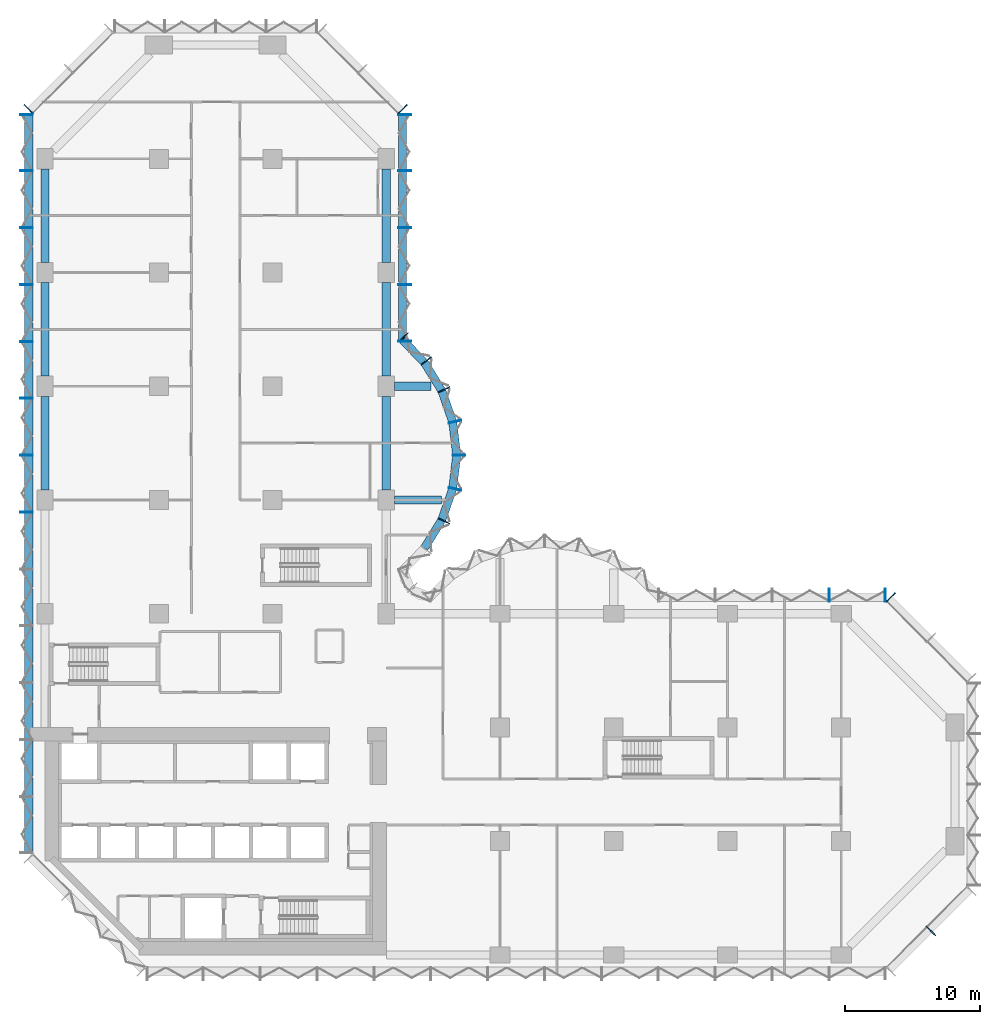
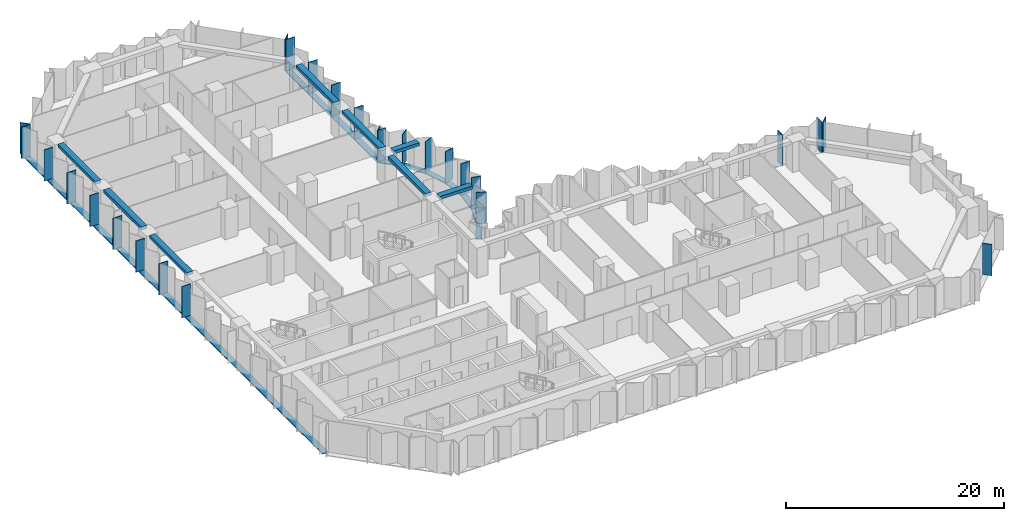
# One storey, part 3 of 15: 35 members, 8 beams, 8 elements without a shape of their own.
"""IFC4 building model written with IfcOpenShell, lengths in metres."""

from ifc_helpers import new_model, si_unit, direction, frame, origin, origin_2d, place, context, subcontext, project, spatial, rectangle, extrude, material, material_profile, profile_set, type_object, element, aggregate, save


model = new_model("IFC4")

# Units and contexts
model_context = context("Model", 3, precision=1e-05, world=origin(), true_north=direction((0.0, 1.0)))
body_context = subcontext(model_context, "Body", "Model", "MODEL_VIEW")
ifc_project = project(units=[si_unit("LENGTHUNIT", "METRE"), si_unit("AREAUNIT", "SQUARE_METRE"), si_unit("VOLUMEUNIT", "CUBIC_METRE"), si_unit("PLANEANGLEUNIT", "RADIAN"), si_unit("MASSUNIT", "GRAM", prefix="KILO")], contexts=[model_context])

# Site, building, storey
site_placement = place(None, origin())
site = spatial("IfcSite", under=ifc_project, at=site_placement, CompositionType="ELEMENT")
building_placement = place(site_placement, origin())
building = spatial("IfcBuilding", under=site, at=building_placement, Name="Brevane Broadcast Tower", CompositionType="ELEMENT")
storey_placement = place(building_placement, frame((0.0, 0.0, 72.5)))
storey = spatial("IfcBuildingStorey", under=building, at=storey_placement, Name="L16", CompositionType="ELEMENT", Elevation=72.5)

# Curtain wall, member
ifc_material_1 = material(Name="Aluminium 6063-T6 bronze anodised", Category="aluminium")
curtain_wall_type = type_object("IfcCurtainWallType", Name="CW-1 curtain wall", PredefinedType="NOTDEFINED", material=ifc_material_1)
curtain_wall_1_placement = place(storey_placement, origin())
curtain_wall_1 = element("IfcCurtainWall", 1, at=curtain_wall_1_placement, inside=storey, type_object=curtain_wall_type, Name="CW-1 typical tilted unit L16 south-east chamfer", PredefinedType="NOTDEFINED")
ifc_material_profile_1 = material_profile(ifc_material_1, rectangle(XDim=0.949951171875, YDim=0.070068359375, at=origin_2d()), Name="RECT 70x950")
ifc_profile_set_1 = profile_set([ifc_material_profile_1], Name="Aluminium 6063-T6 bronze anodised")
member_type_1 = type_object("IfcMemberType", Name="CW-1 mullion 70x950", PredefinedType="MULLION", material=ifc_profile_set_1)
member_1_placement = place(storey_placement, frame((65.435791015625, 1.76416015625, -0.14990234375), z_axis=(0.0, 0.0, 1.0), x_axis=(-0.707106781187, 0.707106781187, 0.0)))
member_1 = element("IfcMember", 2, at=member_1_placement, type_object=member_type_1, Name="CW-1 mullion", PredefinedType="MULLION", context=body_context, shape_type="SweptSolid", body=[
    extrude(rectangle(XDim=0.949951171875, YDim=0.070068359375, at=origin_2d()), origin(), (0.0, 0.0, 1.0), 3.5),
])
aggregate(curtain_wall_1, [member_1])

curtain_wall_2_placement = place(storey_placement, origin())
curtain_wall_2 = element("IfcCurtainWall", 3, at=curtain_wall_2_placement, inside=storey, type_object=curtain_wall_type, Name="CW-1 typical tilted unit L16 north-east chamfer", PredefinedType="NOTDEFINED")
member_2_placement = place(storey_placement, frame((62.460693359375, 26.4111328125, -0.14990234375), z_axis=(0.0, 0.0, 1.0), x_axis=(-0.707106781187, -0.707106781187, 0.0)))
member_2 = element("IfcMember", 4, at=member_2_placement, type_object=member_type_1, Name="CW-1 mullion", PredefinedType="MULLION", context=body_context, shape_type="SweptSolid", body=[
    extrude(rectangle(XDim=0.949951171875, YDim=0.070068359375, at=origin_2d()), origin(), (0.0, 0.0, 1.0), 3.5),
])
aggregate(curtain_wall_2, [member_2])

# Curtain wall, members
curtain_wall_3_placement = place(storey_placement, origin())
curtain_wall_3 = element("IfcCurtainWall", 5, at=curtain_wall_3_placement, inside=storey, type_object=curtain_wall_type, Name="CW-1 typical tilted unit L16 east arm north face", PredefinedType="NOTDEFINED")
member_3_placement = place(storey_placement, frame((62.06494140625, 26.574951171875, -0.14990234375), z_axis=(0.0, 0.0, 1.0), x_axis=(0.0, -1.0, 0.0)))
member_3 = element("IfcMember", 6, at=member_3_placement, type_object=member_type_1, Name="CW-1 mullion", PredefinedType="MULLION", context=body_context, shape_type="SweptSolid", body=[
    extrude(rectangle(XDim=0.949951171875, YDim=0.070068359375, at=origin_2d()), origin(), (0.0, 0.0, 1.0), 3.5),
])
member_4_placement = place(storey_placement, frame((57.89990234375, 26.574951171875, -0.14990234375), z_axis=(0.0, 0.0, 1.0), x_axis=(0.0, -1.0, 0.0)))
member_4 = element("IfcMember", 7, at=member_4_placement, type_object=member_type_1, Name="CW-1 mullion", PredefinedType="MULLION", context=body_context, shape_type="SweptSolid", body=[
    extrude(rectangle(XDim=0.949951171875, YDim=0.070068359375, at=origin_2d()), origin(), (0.0, 0.0, 1.0), 3.5),
])
aggregate(curtain_wall_3, [member_3, member_4])

curtain_wall_4_placement = place(storey_placement, origin())
curtain_wall_4 = element("IfcCurtainWall", 8, at=curtain_wall_4_placement, inside=storey, type_object=curtain_wall_type, Name="CW-1 typical tilted unit L16 north bow", PredefinedType="NOTDEFINED")
member_5_placement = place(storey_placement, frame((29.4580078125, 32.05322265625, -0.14990234375), z_axis=(0.0, 0.0, 1.0), x_axis=(-0.902860508933, 0.429933601163, 0.0)))
member_5 = element("IfcMember", 9, at=member_5_placement, type_object=member_type_1, Name="CW-1 mullion", PredefinedType="MULLION", context=body_context, shape_type="SweptSolid", body=[
    extrude(rectangle(XDim=0.949951171875, YDim=0.070068359375, at=origin_2d()), origin(), (0.0, 0.0, 1.0), 3.5),
])
member_6_placement = place(storey_placement, frame((30.28076171875, 34.411865234375, -0.14990234375), z_axis=(0.0, 0.0, 1.0), x_axis=(-0.974403430594, 0.224806482215, 0.0)))
member_6 = element("IfcMember", 10, at=member_6_placement, type_object=member_type_1, Name="CW-1 mullion", PredefinedType="MULLION", context=body_context, shape_type="SweptSolid", body=[
    extrude(rectangle(XDim=0.949951171875, YDim=0.070068359375, at=origin_2d()), origin(), (0.0, 0.0, 1.0), 3.5),
])
member_7_placement = place(storey_placement, frame((30.574951171875, 36.89990234375, -0.14990234375), z_axis=(0.0, 0.0, 1.0), x_axis=(-1.0, 0.0, 0.0)))
member_7 = element("IfcMember", 11, at=member_7_placement, type_object=member_type_1, Name="CW-1 mullion", PredefinedType="MULLION", context=body_context, shape_type="SweptSolid", body=[
    extrude(rectangle(XDim=0.949951171875, YDim=0.070068359375, at=origin_2d()), origin(), (0.0, 0.0, 1.0), 3.5),
])
member_8_placement = place(storey_placement, frame((30.28076171875, 39.38818359375, -0.14990234375), z_axis=(0.0, 0.0, 1.0), x_axis=(-0.974403430594, -0.224806482215, 0.0)))
member_8 = element("IfcMember", 12, at=member_8_placement, type_object=member_type_1, Name="CW-1 mullion", PredefinedType="MULLION", context=body_context, shape_type="SweptSolid", body=[
    extrude(rectangle(XDim=0.949951171875, YDim=0.070068359375, at=origin_2d()), origin(), (0.0, 0.0, 1.0), 3.5),
])
member_9_placement = place(storey_placement, frame((29.4580078125, 41.746826171875, -0.14990234375), z_axis=(0.0, 0.0, 1.0), x_axis=(-0.902860508933, -0.429933601163, 0.0)))
member_9 = element("IfcMember", 13, at=member_9_placement, type_object=member_type_1, Name="CW-1 mullion", PredefinedType="MULLION", context=body_context, shape_type="SweptSolid", body=[
    extrude(rectangle(XDim=0.949951171875, YDim=0.070068359375, at=origin_2d()), origin(), (0.0, 0.0, 1.0), 3.5),
])
member_10_placement = place(storey_placement, frame((28.1455078125, 43.8720703125, -0.14990234375), z_axis=(0.0, 0.0, 1.0), x_axis=(-0.788706642853, -0.614769738617, 0.0)))
member_10 = element("IfcMember", 14, at=member_10_placement, type_object=member_type_1, Name="CW-1 mullion", PredefinedType="MULLION", context=body_context, shape_type="SweptSolid", body=[
    extrude(rectangle(XDim=0.949951171875, YDim=0.070068359375, at=origin_2d()), origin(), (0.0, 0.0, 1.0), 3.5),
])
member_11_placement = place(storey_placement, frame((26.465087890625, 45.60595703125, -0.14990234375), z_axis=(0.0, 0.0, 1.0), x_axis=(-0.717253872699, -0.696811941702, 0.0)))
member_11 = element("IfcMember", 15, at=member_11_placement, type_object=member_type_1, Name="CW-1 mullion", PredefinedType="MULLION", context=body_context, shape_type="SweptSolid", body=[
    extrude(rectangle(XDim=0.949951171875, YDim=0.070068359375, at=origin_2d()), origin(), (0.0, 0.0, 1.0), 3.5),
])

curtain_wall_5_placement = place(storey_placement, origin())
curtain_wall_5 = element("IfcCurtainWall", 16, at=curtain_wall_5_placement, inside=storey, type_object=curtain_wall_type, Name="CW-1 typical tilted unit L16 north arm east face", PredefinedType="NOTDEFINED")
member_12_placement = place(storey_placement, frame((26.574951171875, 45.3349609375, -0.14990234375), z_axis=(0.0, 0.0, 1.0), x_axis=(-1.0, 0.0, 0.0)))
member_12 = element("IfcMember", 17, at=member_12_placement, type_object=member_type_1, Name="CW-1 mullion", PredefinedType="MULLION", context=body_context, shape_type="SweptSolid", body=[
    extrude(rectangle(XDim=0.949951171875, YDim=0.070068359375, at=origin_2d()), origin(), (0.0, 0.0, 1.0), 3.5),
])
member_13_placement = place(storey_placement, frame((26.574951171875, 49.5, -0.14990234375), z_axis=(0.0, 0.0, 1.0), x_axis=(-1.0, 0.0, 0.0)))
member_13 = element("IfcMember", 18, at=member_13_placement, type_object=member_type_1, Name="CW-1 mullion", PredefinedType="MULLION", context=body_context, shape_type="SweptSolid", body=[
    extrude(rectangle(XDim=0.949951171875, YDim=0.070068359375, at=origin_2d()), origin(), (0.0, 0.0, 1.0), 3.5),
])
member_14_placement = place(storey_placement, frame((26.574951171875, 53.699951171875, -0.14990234375), z_axis=(0.0, 0.0, 1.0), x_axis=(-1.0, 0.0, 0.0)))
member_14 = element("IfcMember", 19, at=member_14_placement, type_object=member_type_1, Name="CW-1 mullion", PredefinedType="MULLION", context=body_context, shape_type="SweptSolid", body=[
    extrude(rectangle(XDim=0.949951171875, YDim=0.070068359375, at=origin_2d()), origin(), (0.0, 0.0, 1.0), 3.5),
])
member_15_placement = place(storey_placement, frame((26.574951171875, 57.89990234375, -0.14990234375), z_axis=(0.0, 0.0, 1.0), x_axis=(-1.0, 0.0, 0.0)))
member_15 = element("IfcMember", 20, at=member_15_placement, type_object=member_type_1, Name="CW-1 mullion", PredefinedType="MULLION", context=body_context, shape_type="SweptSolid", body=[
    extrude(rectangle(XDim=0.949951171875, YDim=0.070068359375, at=origin_2d()), origin(), (0.0, 0.0, 1.0), 3.5),
])
member_16_placement = place(storey_placement, frame((26.574951171875, 62.06494140625, -0.14990234375), z_axis=(0.0, 0.0, 1.0), x_axis=(-1.0, 0.0, 0.0)))
member_16 = element("IfcMember", 21, at=member_16_placement, type_object=member_type_1, Name="CW-1 mullion", PredefinedType="MULLION", context=body_context, shape_type="SweptSolid", body=[
    extrude(rectangle(XDim=0.949951171875, YDim=0.070068359375, at=origin_2d()), origin(), (0.0, 0.0, 1.0), 3.5),
])

# Curtain wall, member
curtain_wall_6_placement = place(storey_placement, origin())
curtain_wall_6 = element("IfcCurtainWall", 22, at=curtain_wall_6_placement, inside=storey, type_object=curtain_wall_type, Name="CW-1 typical tilted unit L16 north arm north-east chamfer", PredefinedType="NOTDEFINED")
member_17_placement = place(storey_placement, frame((26.4111328125, 62.460693359375, -0.14990234375), z_axis=(0.0, 0.0, 1.0), x_axis=(-0.707106781187, -0.707106781187, 0.0)))
member_17 = element("IfcMember", 23, at=member_17_placement, type_object=member_type_1, Name="CW-1 mullion", PredefinedType="MULLION", context=body_context, shape_type="SweptSolid", body=[
    extrude(rectangle(XDim=0.949951171875, YDim=0.070068359375, at=origin_2d()), origin(), (0.0, 0.0, 1.0), 3.5),
])
aggregate(curtain_wall_6, [member_17])

curtain_wall_7_placement = place(storey_placement, origin())
curtain_wall_7 = element("IfcCurtainWall", 24, at=curtain_wall_7_placement, inside=storey, type_object=curtain_wall_type, Name="CW-1 typical tilted unit L16 north-west chamfer", PredefinedType="NOTDEFINED")
member_18_placement = place(storey_placement, frame((-1.211181640625, 62.460693359375, -0.14990234375), z_axis=(0.0, 0.0, 1.0), x_axis=(0.707106781187, -0.707106781187, 0.0)))
member_18 = element("IfcMember", 25, at=member_18_placement, type_object=member_type_1, Name="CW-1 mullion", PredefinedType="MULLION", context=body_context, shape_type="SweptSolid", body=[
    extrude(rectangle(XDim=0.949951171875, YDim=0.070068359375, at=origin_2d()), origin(), (0.0, 0.0, 1.0), 3.5),
])
aggregate(curtain_wall_7, [member_18])

# Curtain wall, members
curtain_wall_8_placement = place(storey_placement, origin())
curtain_wall_8 = element("IfcCurtainWall", 26, at=curtain_wall_8_placement, inside=storey, type_object=curtain_wall_type, Name="CW-1 typical tilted unit L16 west face", PredefinedType="NOTDEFINED")
member_19_placement = place(storey_placement, frame((-1.375, 62.06494140625, -0.14990234375), z_axis=(0.0, 0.0, 1.0), x_axis=(1.0, 0.0, 0.0)))
member_19 = element("IfcMember", 27, at=member_19_placement, type_object=member_type_1, Name="CW-1 mullion", PredefinedType="MULLION", context=body_context, shape_type="SweptSolid", body=[
    extrude(rectangle(XDim=0.949951171875, YDim=0.070068359375, at=origin_2d()), origin(), (0.0, 0.0, 1.0), 3.5),
])
member_20_placement = place(storey_placement, frame((-1.375, 57.89990234375, -0.14990234375), z_axis=(0.0, 0.0, 1.0), x_axis=(1.0, 0.0, 0.0)))
member_20 = element("IfcMember", 28, at=member_20_placement, type_object=member_type_1, Name="CW-1 mullion", PredefinedType="MULLION", context=body_context, shape_type="SweptSolid", body=[
    extrude(rectangle(XDim=0.949951171875, YDim=0.070068359375, at=origin_2d()), origin(), (0.0, 0.0, 1.0), 3.5),
])
member_21_placement = place(storey_placement, frame((-1.375, 53.699951171875, -0.14990234375), z_axis=(0.0, 0.0, 1.0), x_axis=(1.0, 0.0, 0.0)))
member_21 = element("IfcMember", 29, at=member_21_placement, type_object=member_type_1, Name="CW-1 mullion", PredefinedType="MULLION", context=body_context, shape_type="SweptSolid", body=[
    extrude(rectangle(XDim=0.949951171875, YDim=0.070068359375, at=origin_2d()), origin(), (0.0, 0.0, 1.0), 3.5),
])
member_22_placement = place(storey_placement, frame((-1.375, 49.5, -0.14990234375), z_axis=(0.0, 0.0, 1.0), x_axis=(1.0, 0.0, 0.0)))
member_22 = element("IfcMember", 30, at=member_22_placement, type_object=member_type_1, Name="CW-1 mullion", PredefinedType="MULLION", context=body_context, shape_type="SweptSolid", body=[
    extrude(rectangle(XDim=0.949951171875, YDim=0.070068359375, at=origin_2d()), origin(), (0.0, 0.0, 1.0), 3.5),
])
member_23_placement = place(storey_placement, frame((-1.375, 45.300048828125, -0.14990234375), z_axis=(0.0, 0.0, 1.0), x_axis=(1.0, 0.0, 0.0)))
member_23 = element("IfcMember", 31, at=member_23_placement, type_object=member_type_1, Name="CW-1 mullion", PredefinedType="MULLION", context=body_context, shape_type="SweptSolid", body=[
    extrude(rectangle(XDim=0.949951171875, YDim=0.070068359375, at=origin_2d()), origin(), (0.0, 0.0, 1.0), 3.5),
])
member_24_placement = place(storey_placement, frame((-1.375, 41.10009765625, -0.14990234375), z_axis=(0.0, 0.0, 1.0), x_axis=(1.0, 0.0, 0.0)))
member_24 = element("IfcMember", 32, at=member_24_placement, type_object=member_type_1, Name="CW-1 mullion", PredefinedType="MULLION", context=body_context, shape_type="SweptSolid", body=[
    extrude(rectangle(XDim=0.949951171875, YDim=0.070068359375, at=origin_2d()), origin(), (0.0, 0.0, 1.0), 3.5),
])
member_25_placement = place(storey_placement, frame((-1.375, 36.89990234375, -0.14990234375), z_axis=(0.0, 0.0, 1.0), x_axis=(1.0, 0.0, 0.0)))
member_25 = element("IfcMember", 33, at=member_25_placement, type_object=member_type_1, Name="CW-1 mullion", PredefinedType="MULLION", context=body_context, shape_type="SweptSolid", body=[
    extrude(rectangle(XDim=0.949951171875, YDim=0.070068359375, at=origin_2d()), origin(), (0.0, 0.0, 1.0), 3.5),
])
member_26_placement = place(storey_placement, frame((-1.375, 32.699951171875, -0.14990234375), z_axis=(0.0, 0.0, 1.0), x_axis=(1.0, 0.0, 0.0)))
member_26 = element("IfcMember", 34, at=member_26_placement, type_object=member_type_1, Name="CW-1 mullion", PredefinedType="MULLION", context=body_context, shape_type="SweptSolid", body=[
    extrude(rectangle(XDim=0.949951171875, YDim=0.070068359375, at=origin_2d()), origin(), (0.0, 0.0, 1.0), 3.5),
])

# Member
ifc_material_profile_2 = material_profile(ifc_material_1, rectangle(XDim=0.60009765625, YDim=0.10009765625, at=origin_2d()), Name="RECT 100x600")
ifc_profile_set_2 = profile_set([ifc_material_profile_2], Name="Aluminium 6063-T6 bronze anodised")
member_type_2 = type_object("IfcMemberType", Name="CW-1 transom 100x600", PredefinedType="USERDEFINED", material=ifc_profile_set_2)
member_27_placement = place(storey_placement, frame((28.023193359375, 30.0576171875, -0.199951171875), z_axis=(0.525427766759, 0.850838211365, 0.0), x_axis=(-0.850838211365, 0.525427766759, 0.0)))
member_27 = element("IfcMember", 35, at=member_27_placement, type_object=member_type_2, Name="CW-1 transom", ObjectType="TRANSOM", PredefinedType="USERDEFINED", context=body_context, shape_type="SweptSolid", body=[
    extrude(rectangle(XDim=0.60009765625, YDim=0.10009765625, at=origin_2d()), origin(), (0.0, 0.0, 1.0), 2.394775390625),
])

member_28_placement = place(storey_placement, frame((29.314208984375, 32.163818359375, -0.199951171875), z_axis=(0.329378497041, 0.944197969542, 0.0), x_axis=(-0.944197969542, 0.329378497041, 0.0)))
member_28 = element("IfcMember", 36, at=member_28_placement, type_object=member_type_2, Name="CW-1 transom", ObjectType="TRANSOM", PredefinedType="USERDEFINED", context=body_context, shape_type="SweptSolid", body=[
    extrude(rectangle(XDim=0.60009765625, YDim=0.10009765625, at=origin_2d()), origin(), (0.0, 0.0, 1.0), 2.394775390625),
])

member_29_placement = place(storey_placement, frame((30.117431640625, 34.499755859375, -0.199951171875), z_axis=(0.117603307202, 0.993060653805, 0.0), x_axis=(-0.993060653805, 0.117603307202, 0.0)))
member_29 = element("IfcMember", 37, at=member_29_placement, type_object=member_type_2, Name="CW-1 transom", ObjectType="TRANSOM", PredefinedType="USERDEFINED", context=body_context, shape_type="SweptSolid", body=[
    extrude(rectangle(XDim=0.60009765625, YDim=0.10009765625, at=origin_2d()), origin(), (0.0, 0.0, 1.0), 2.397705078125),
])

member_30_placement = place(storey_placement, frame((30.3994140625, 36.9189453125, -0.199951171875), z_axis=(-0.117591417, 0.993062061831, 0.0), x_axis=(-0.993062061831, -0.117591417, 0.0)))
member_30 = element("IfcMember", 38, at=member_30_placement, type_object=member_type_2, Name="CW-1 transom", ObjectType="TRANSOM", PredefinedType="USERDEFINED", context=body_context, shape_type="SweptSolid", body=[
    extrude(rectangle(XDim=0.60009765625, YDim=0.10009765625, at=origin_2d()), origin(), (0.0, 0.0, 1.0), 2.39794921875),
])

member_31_placement = place(storey_placement, frame((30.10302734375, 39.375, -0.199951171875), z_axis=(-0.329378497041, 0.944197969542, 0.0), x_axis=(-0.944197969542, -0.329378497041, 0.0)))
member_31 = element("IfcMember", 39, at=member_31_placement, type_object=member_type_2, Name="CW-1 transom", ObjectType="TRANSOM", PredefinedType="USERDEFINED", context=body_context, shape_type="SweptSolid", body=[
    extrude(rectangle(XDim=0.60009765625, YDim=0.10009765625, at=origin_2d()), origin(), (0.0, 0.0, 1.0), 2.394775390625),
])

member_32_placement = place(storey_placement, frame((29.281494140625, 41.704833984375, -0.199951171875), z_axis=(-0.525473345162, 0.850810063131, 0.0), x_axis=(-0.850810063131, -0.525473345162, 0.0)))
member_32 = element("IfcMember", 40, at=member_32_placement, type_object=member_type_2, Name="CW-1 transom", ObjectType="TRANSOM", PredefinedType="USERDEFINED", context=body_context, shape_type="SweptSolid", body=[
    extrude(rectangle(XDim=0.60009765625, YDim=0.10009765625, at=origin_2d()), origin(), (0.0, 0.0, 1.0), 2.39453125),
])

member_33_placement = place(storey_placement, frame((27.974365234375, 43.800537109375, -0.199951171875), z_axis=(-0.696823999134, 0.71724215871, 0.0), x_axis=(-0.71724215871, -0.696823999134, 0.0)))
member_33 = element("IfcMember", 41, at=member_33_placement, type_object=member_type_2, Name="CW-1 transom", ObjectType="TRANSOM", PredefinedType="USERDEFINED", context=body_context, shape_type="SweptSolid", body=[
    extrude(rectangle(XDim=0.60009765625, YDim=0.10009765625, at=origin_2d()), origin(), (0.0, 0.0, 1.0), 2.247802734375),
])

aggregate(curtain_wall_4, [member_5, member_6, member_7, member_8, member_9, member_10, member_11, member_27, member_28, member_29, member_30, member_31, member_32, member_33])

member_34_placement = place(storey_placement, frame((26.39990234375, 45.300048828125, -0.199951171875), z_axis=(0.0, 1.0, 0.0), x_axis=(-1.0, 0.0, 0.0)))
member_34 = element("IfcMember", 42, at=member_34_placement, type_object=member_type_2, Name="CW-1 transom", ObjectType="TRANSOM", PredefinedType="USERDEFINED", context=body_context, shape_type="SweptSolid", body=[
    extrude(rectangle(XDim=0.60009765625, YDim=0.10009765625, at=origin_2d()), origin(), (0.0, 0.0, 1.0), 16.800048828125),
])

aggregate(curtain_wall_5, [member_12, member_13, member_14, member_15, member_16, member_34])

member_35_placement = place(storey_placement, frame((-1.199951171875, 62.10009765625, -0.199951171875), z_axis=(0.0, -1.0, 0.0), x_axis=(1.0, 0.0, 0.0)))
member_35 = element("IfcMember", 43, at=member_35_placement, type_object=member_type_2, Name="CW-1 transom", ObjectType="TRANSOM", PredefinedType="USERDEFINED", context=body_context, shape_type="SweptSolid", body=[
    extrude(rectangle(XDim=0.60009765625, YDim=0.10009765625, at=origin_2d()), origin(), (0.0, 0.0, 1.0), 54.60009765625),
])

aggregate(curtain_wall_8, [member_19, member_20, member_21, member_22, member_23, member_24, member_25, member_26, member_35])

# Beams
ifc_material_2 = material(Name="Concrete C40/50", Category="concrete")
ifc_material_profile_3 = material_profile(ifc_material_2, rectangle(XDim=0.60009765625, YDim=0.35009765625, at=origin_2d()), Name="RC 600x350")
ifc_profile_set_3 = profile_set([ifc_material_profile_3], Name="Concrete C40/50")
beam_type_1 = type_object("IfcBeamType", Name="RC BRACKET BEAM 600x350 C40/50", PredefinedType="BEAM", material=ifc_profile_set_3)
beam_1_placement = place(storey_placement, frame((25.800048828125, 33.60009765625, 3.175048828125), z_axis=(1.0, 0.0, 0.0), x_axis=(0.0, 1.0, 0.0)))
element("IfcBeam", 44, at=beam_1_placement, inside=storey, type_object=beam_type_1, Name="EB2 L16-1", PredefinedType="BEAM", context=body_context, shape_type="SweptSolid", body=[
    extrude(rectangle(XDim=0.60009765625, YDim=0.35009765625, at=origin_2d()), origin(), (0.0, 0.0, 1.0), 3.4619140625),
])
beam_2_placement = place(storey_placement, frame((25.800048828125, 42.0, 3.175048828125), z_axis=(1.0, 0.0, 0.0), x_axis=(0.0, 1.0, 0.0)))
element("IfcBeam", 45, at=beam_2_placement, inside=storey, type_object=beam_type_1, Name="EB2 L16-2", PredefinedType="BEAM", context=body_context, shape_type="SweptSolid", body=[
    extrude(rectangle(XDim=0.60009765625, YDim=0.35009765625, at=origin_2d()), origin(), (0.0, 0.0, 1.0), 2.71142578125),
])
ifc_material_profile_4 = material_profile(ifc_material_2, rectangle(XDim=0.60009765625, YDim=0.35009765625, at=origin_2d()), Name="RC 600x350")
ifc_profile_set_4 = profile_set([ifc_material_profile_4], Name="Concrete C40/50")
beam_type_2 = type_object("IfcBeamType", Name="RC SPANDREL BEAM 600x350 C40/50", PredefinedType="SPANDREL", material=ifc_profile_set_4)
for number, where, z_axis, x_axis, name in (
    (46, (25.199951171875, 34.35009765625, 3.175048828125), (0.0, 1.0, 0.0), (-1.0, 0.0, 0.0), "EB1 L16-13"),
    (47, (25.199951171875, 42.75, 3.175048828125), (0.0, 1.0, 0.0), (-1.0, 0.0, 0.0), "EB1 L16-14"),
):
    element("IfcBeam", number, at=place(storey_placement, frame(where, z_axis=z_axis, x_axis=x_axis)), inside=storey, type_object=beam_type_2, Name=name, PredefinedType="SPANDREL", context=body_context, shape_type="SweptSolid", body=[
        extrude(rectangle(XDim=0.60009765625, YDim=0.35009765625, at=origin_2d()), origin(), (0.0, 0.0, 1.0), 6.89990234375),
    ])
for number, where, z_axis, x_axis, name in (
    (48, (25.199951171875, 51.14990234375, 3.175048828125), (0.0, 1.0, 0.0), (-1.0, 0.0, 0.0), "EB1 L16-15"),
    (49, (0.0, 58.050048828125, 3.175048828125), (0.0, -1.0, 0.0), (1.0, 0.0, 0.0), "EB1 L16-19"),
):
    element("IfcBeam", number, at=place(storey_placement, frame(where, z_axis=z_axis, x_axis=x_axis)), inside=storey, type_object=beam_type_2, Name=name, PredefinedType="SPANDREL", context=body_context, shape_type="SweptSolid", body=[
        extrude(rectangle(XDim=0.60009765625, YDim=0.35009765625, at=origin_2d()), origin(), (0.0, 0.0, 1.0), 6.900146484375),
    ])
for number, where, z_axis, x_axis, name in (
    (50, (0.0, 49.64990234375, 3.175048828125), (0.0, -1.0, 0.0), (1.0, 0.0, 0.0), "EB1 L16-20"),
    (51, (0.0, 41.25, 3.175048828125), (0.0, -1.0, 0.0), (1.0, 0.0, 0.0), "EB1 L16-21"),
):
    element("IfcBeam", number, at=place(storey_placement, frame(where, z_axis=z_axis, x_axis=x_axis)), inside=storey, type_object=beam_type_2, Name=name, PredefinedType="SPANDREL", context=body_context, shape_type="SweptSolid", body=[
        extrude(rectangle(XDim=0.60009765625, YDim=0.35009765625, at=origin_2d()), origin(), (0.0, 0.0, 1.0), 6.89990234375),
    ])

save(model, "model.ifc")
